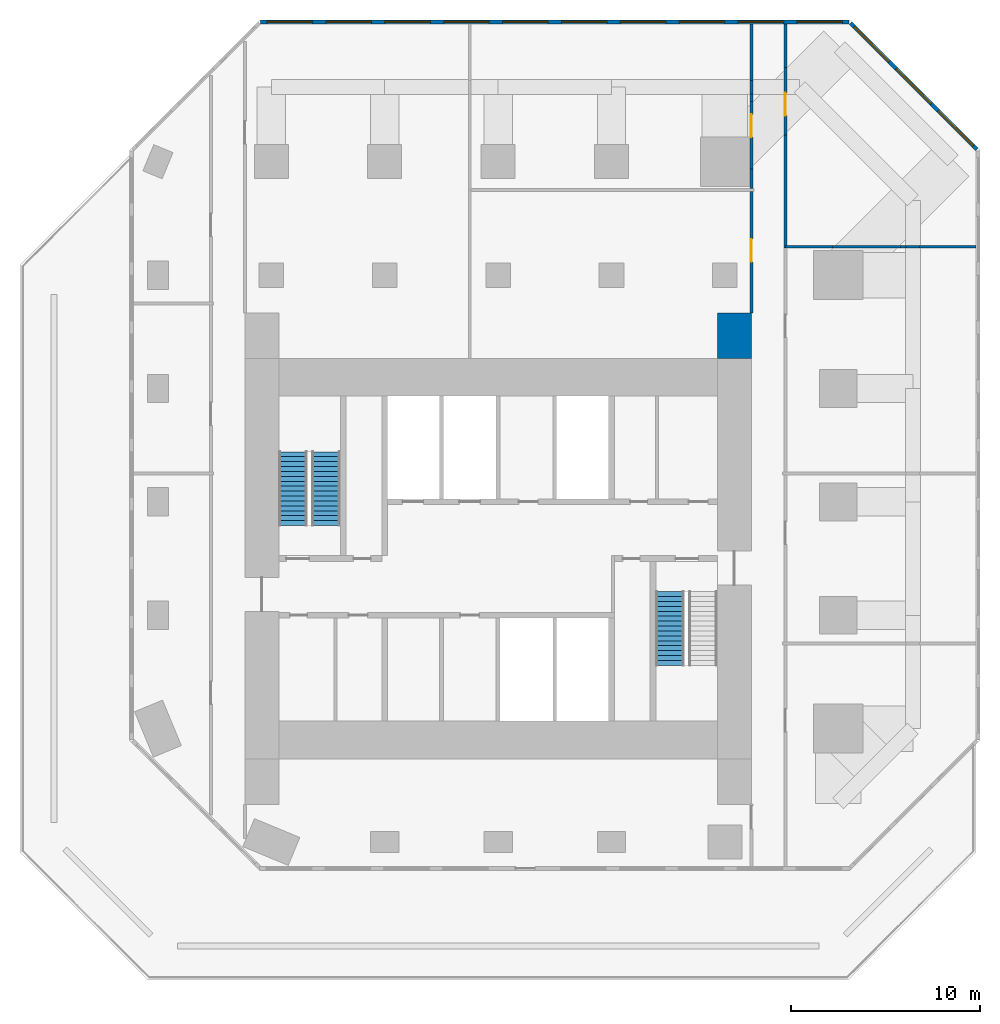
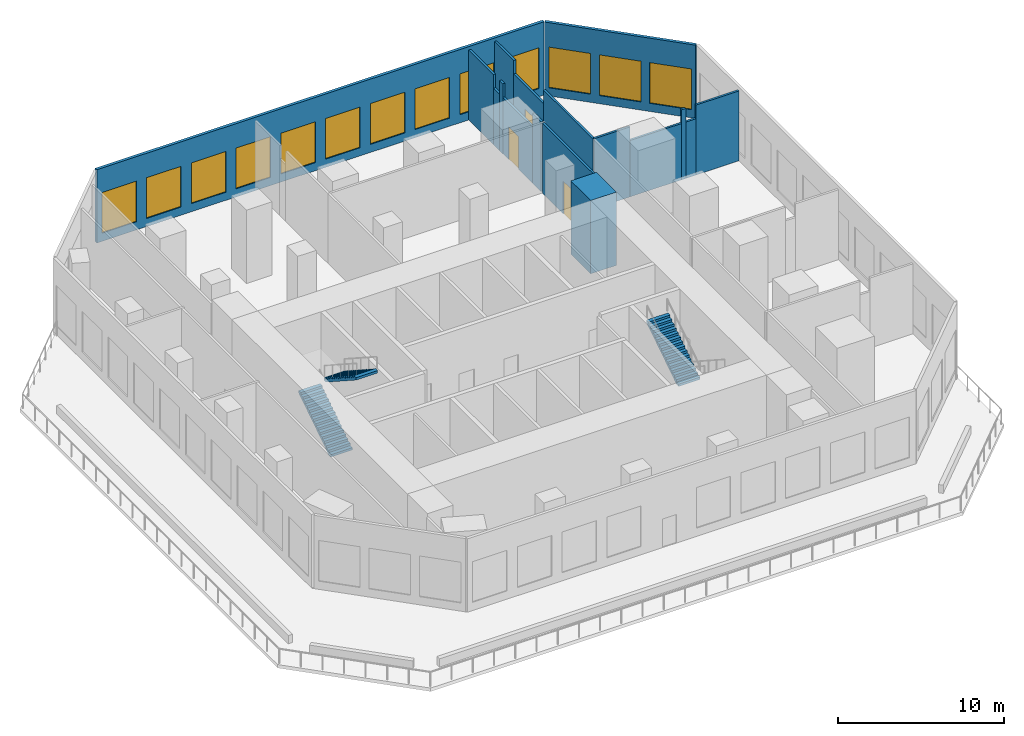
# One storey, part 5 of 7: 17 walls, 13 windows, 3 doors, 3 stair flights, 16 openings, 2 elements without a shape of their own.
"""IFC4 building model written with IfcOpenShell, lengths in metres."""

from ifc_helpers import new_model, si_unit, direction, frame, frame_2d, origin, place, context, subcontext, project, spatial, polyline, rectangle, outline, extrude, material, layer, layer_set, type_object, element, fill, aggregate, save


model = new_model("IFC4")

# Units and contexts
model_context = context("Model", 3, precision=1e-05, world=origin(), true_north=direction((0.0, 1.0)))
body_context = subcontext(model_context, "Body", "Model", "MODEL_VIEW")
ifc_project = project(units=[si_unit("LENGTHUNIT", "METRE"), si_unit("AREAUNIT", "SQUARE_METRE"), si_unit("VOLUMEUNIT", "CUBIC_METRE"), si_unit("PLANEANGLEUNIT", "RADIAN"), si_unit("MASSUNIT", "GRAM", prefix="KILO")], contexts=[model_context])

# Site, building, storey
site_placement = place(None, origin())
site = spatial("IfcSite", under=ifc_project, at=site_placement, CompositionType="ELEMENT")
building_placement = place(site_placement, origin())
building = spatial("IfcBuilding", under=site, at=building_placement, Name="Highveld Stack Headquarters", CompositionType="ELEMENT")
storey_placement = place(building_placement, frame((0.0, 0.0, 164.0)))
storey = spatial("IfcBuildingStorey", under=building, at=storey_placement, Name="L40", CompositionType="ELEMENT", Elevation=164.0)

# Wall
ifc_material_1 = material(Name="Concrete C60/75", Category="concrete")
ifc_layer_1 = layer(ifc_material_1, 1.800048828125)
ifc_layer_set_1 = layer_set([ifc_layer_1], Name="Concrete C60/75")
wall_type_1 = type_object("IfcWallType", Name="CORE WING WALL 1800 C60/75", PredefinedType="SHEAR", material=ifc_layer_set_1)
wall_1_placement = place(storey_placement, frame((18.5, 13.60009765625, 0.0), z_axis=(0.0, 0.0, 1.0), x_axis=(0.0, 1.0, 0.0)))
element("IfcWall", 1, at=wall_1_placement, inside=storey, type_object=wall_type_1, Name="Core wing wall EN L40", PredefinedType="SHEAR", context=body_context, shape_type="SweptSolid", body=[
    extrude(rectangle(XDim=2.39990234375, YDim=1.800048828125, at=frame_2d((1.199951171875, 0.0))), origin(), (0.0, 0.0, 1.0), 5.39990234375),
])

# Wall, opening, door
ifc_material_2 = material(Name="Concrete blockwork, plastered", Category="masonry")
ifc_layer_2 = layer(ifc_material_2, 0.14990234375)
ifc_layer_set_2 = layer_set([ifc_layer_2], Name="Concrete blockwork, plastered")
wall_type_2 = type_object("IfcWallType", Name="FIRE PARTITION 150 BLOCKWORK", PredefinedType="PARTITIONING", material=ifc_layer_set_2)
wall_2_placement = place(storey_placement, frame((19.39990234375, 16.0, 0.0), z_axis=(0.0, 0.0, 1.0), x_axis=(0.0, 1.0, 0.0)))
wall_2 = element("IfcWall", 2, at=wall_2_placement, inside=storey, type_object=wall_type_2, Name="Partition office neighbourhood L40", PredefinedType="PARTITIONING", context=body_context, shape_type="SweptSolid", body=[
    extrude(rectangle(XDim=6.425048828125, YDim=0.14990234375, at=frame_2d((3.21240234375, 0.0))), origin(), (0.0, 0.0, 1.0), 5.14990234375),
])
opening_1_placement = place(wall_2_placement, frame((2.699951171875, 0.0, 0.0)))
opening_1 = element("IfcOpeningElement", 3, at=opening_1_placement, cuts=wall_2, Name="Opening L40-21", PredefinedType="OPENING", context=body_context, shape_type="SweptSolid", body=[
    extrude(rectangle(XDim=1.199951171875, YDim=2.39990234375, at=frame_2d((0.60009765625, 1.199951171875))), frame((0.0, 0.0849609375, 0.0), z_axis=(0.0, -1.0, 0.0), x_axis=(1.0, 0.0, 0.0)), (0.0, 0.0, 1.0), 0.169921875),
])
ifc_material_3 = material(Name="Steel fire door", Category="steel")
door_type = type_object("IfcDoorType", Name="PLANT FIRE DOOR D7 1200x2400", OperationType="SINGLE_SWING_LEFT", PredefinedType="DOOR", material=ifc_material_3)
door_1_placement = place(opening_1_placement, origin())
door_1 = element("IfcDoor", 4, at=door_1_placement, inside=storey, type_object=door_type, Name="Plant room door L40", OperationType="SINGLE_SWING_RIGHT", OverallHeight=2.39990234375, OverallWidth=1.199951171875, PredefinedType="DOOR", context=body_context, shape_type="SweptSolid", body=[
    extrude(rectangle(XDim=1.199951171875, YDim=2.39990234375, at=frame_2d((0.60009765625, 1.199951171875))), frame((0.0, 0.02490234375, 0.0), z_axis=(0.0, -1.0, 0.0), x_axis=(1.0, 0.0, 0.0)), (0.0, 0.0, 1.0), 0.050048828125),
])
fill(opening_1, door_1)

# Wall
wall_3_placement = place(storey_placement, frame((19.39990234375, 22.574951171875, 0.0), z_axis=(0.0, 0.0, 1.0), x_axis=(0.0, 1.0, 0.0)))
element("IfcWall", 5, at=wall_3_placement, inside=storey, type_object=wall_type_2, Name="Partition office neighbourhood L40", PredefinedType="PARTITIONING", context=body_context, shape_type="SweptSolid", body=[
    extrude(rectangle(XDim=1.032958984375, YDim=0.14990234375, at=frame_2d((0.5166015625, 0.0))), origin(), (0.0, 0.0, 1.0), 5.14990234375),
])

# Wall, opening, door
wall_4_placement = place(storey_placement, frame((19.39990234375, 23.60791015625, 0.0), z_axis=(0.0, 0.0, 1.0), x_axis=(0.0, 1.0, 0.0)))
wall_4 = element("IfcWall", 6, at=wall_4_placement, inside=storey, type_object=wall_type_2, Name="Partition office neighbourhood L40", PredefinedType="PARTITIONING", context=body_context, shape_type="SweptSolid", body=[
    extrude(rectangle(XDim=3.584228515625, YDim=0.14990234375, at=frame_2d((1.7919921875, 0.0))), origin(), (0.0, 0.0, 1.0), 4.14990234375),
])
opening_2_placement = place(wall_4_placement, frame((1.699951171875, 0.0, 0.0)))
opening_2 = element("IfcOpeningElement", 7, at=opening_2_placement, cuts=wall_4, Name="Opening L40-23", PredefinedType="OPENING", context=body_context, shape_type="SweptSolid", body=[
    extrude(rectangle(XDim=1.199951171875, YDim=2.39990234375, at=frame_2d((0.60009765625, 1.199951171875))), frame((0.0, 0.0849609375, 0.0), z_axis=(0.0, -1.0, 0.0), x_axis=(1.0, 0.0, 0.0)), (0.0, 0.0, 1.0), 0.169921875),
])
door_2_placement = place(opening_2_placement, origin())
door_2 = element("IfcDoor", 8, at=door_2_placement, inside=storey, type_object=door_type, Name="Plant room door L40", OperationType="SINGLE_SWING_RIGHT", OverallHeight=2.39990234375, OverallWidth=1.199951171875, PredefinedType="DOOR", context=body_context, shape_type="SweptSolid", body=[
    extrude(rectangle(XDim=1.199951171875, YDim=2.39990234375, at=frame_2d((0.60009765625, 1.199951171875))), frame((0.0, 0.02490234375, 0.0), z_axis=(0.0, -1.0, 0.0), x_axis=(1.0, 0.0, 0.0)), (0.0, 0.0, 1.0), 0.050048828125),
])
fill(opening_2, door_2)

# Walls
wall_5_placement = place(storey_placement, frame((19.39990234375, 27.192138671875, 0.0), z_axis=(0.0, 0.0, 1.0), x_axis=(0.0, 1.0, 0.0)))
element("IfcWall", 9, at=wall_5_placement, inside=storey, type_object=wall_type_2, Name="Partition office neighbourhood L40", PredefinedType="PARTITIONING", context=body_context, shape_type="SweptSolid", body=[
    extrude(rectangle(XDim=0.39794921875, YDim=0.14990234375, at=frame_2d((0.198974609375, 0.0))), origin(), (0.0, 0.0, 1.0), 5.14990234375),
])
wall_6_placement = place(storey_placement, frame((19.39990234375, 27.590087890625, 0.0), z_axis=(0.0, 0.0, 1.0), x_axis=(0.0, 1.0, 0.0)))
element("IfcWall", 10, at=wall_6_placement, inside=storey, type_object=wall_type_2, Name="Partition office neighbourhood L40", PredefinedType="PARTITIONING", context=body_context, shape_type="SweptSolid", body=[
    extrude(rectangle(XDim=0.719970703125, YDim=0.14990234375, at=frame_2d((0.35986328125, 0.0))), origin(), (0.0, 0.0, 1.0), 4.14990234375),
])
wall_7_placement = place(storey_placement, frame((19.39990234375, 28.31005859375, 0.0), z_axis=(0.0, 0.0, 1.0), x_axis=(0.0, 1.0, 0.0)))
element("IfcWall", 11, at=wall_7_placement, inside=storey, type_object=wall_type_2, Name="Partition office neighbourhood L40", PredefinedType="PARTITIONING", context=body_context, shape_type="SweptSolid", body=[
    extrude(rectangle(XDim=2.989990234375, YDim=0.14990234375, at=frame_2d((1.4951171875, 0.0))), origin(), (0.0, 0.0, 1.0), 5.14990234375),
])
wall_8_placement = place(storey_placement, frame((21.199951171875, 19.425048828125, 0.0), z_axis=(0.0, 0.0, 1.0), x_axis=(0.0, 1.0, 0.0)))
element("IfcWall", 12, at=wall_8_placement, inside=storey, type_object=wall_type_2, Name="Partition office neighbourhood L40", PredefinedType="PARTITIONING", context=body_context, shape_type="SweptSolid", body=[
    extrude(rectangle(XDim=5.98291015625, YDim=0.14990234375, at=frame_2d((2.991455078125, 0.0))), origin(), (0.0, 0.0, 1.0), 5.14990234375),
])

# Wall, opening, door
wall_9_placement = place(storey_placement, frame((21.199951171875, 25.407958984375, 0.0), z_axis=(0.0, 0.0, 1.0), x_axis=(0.0, 1.0, 0.0)))
wall_9 = element("IfcWall", 13, at=wall_9_placement, inside=storey, type_object=wall_type_2, Name="Partition office neighbourhood L40", PredefinedType="PARTITIONING", context=body_context, shape_type="SweptSolid", body=[
    extrude(rectangle(XDim=3.584228515625, YDim=0.14990234375, at=frame_2d((1.7919921875, 0.0))), origin(), (0.0, 0.0, 1.0), 4.14990234375),
])
opening_3_placement = place(wall_9_placement, frame((1.031982421875, 0.0, 0.0)))
opening_3 = element("IfcOpeningElement", 14, at=opening_3_placement, cuts=wall_9, Name="Opening L40-20", PredefinedType="OPENING", context=body_context, shape_type="SweptSolid", body=[
    extrude(rectangle(XDim=1.199951171875, YDim=2.39990234375, at=frame_2d((0.60009765625, 1.199951171875))), frame((0.0, 0.0849609375, 0.0), z_axis=(0.0, -1.0, 0.0), x_axis=(1.0, 0.0, 0.0)), (0.0, 0.0, 1.0), 0.169921875),
])
door_3_placement = place(opening_3_placement, origin())
door_3 = element("IfcDoor", 15, at=door_3_placement, inside=storey, type_object=door_type, Name="Plant room door L40", OperationType="SINGLE_SWING_LEFT", OverallHeight=2.39990234375, OverallWidth=1.199951171875, PredefinedType="DOOR", context=body_context, shape_type="SweptSolid", body=[
    extrude(rectangle(XDim=1.199951171875, YDim=2.39990234375, at=frame_2d((0.60009765625, 1.199951171875))), frame((0.0, 0.02490234375, 0.0), z_axis=(0.0, -1.0, 0.0), x_axis=(1.0, 0.0, 0.0)), (0.0, 0.0, 1.0), 0.050048828125),
])
fill(opening_3, door_3)

# Walls
wall_10_placement = place(storey_placement, frame((21.199951171875, 28.9921875, 0.0), z_axis=(0.0, 0.0, 1.0), x_axis=(0.0, 1.0, 0.0)))
element("IfcWall", 16, at=wall_10_placement, inside=storey, type_object=wall_type_2, Name="Partition office neighbourhood L40", PredefinedType="PARTITIONING", context=body_context, shape_type="SweptSolid", body=[
    extrude(rectangle(XDim=2.307861328125, YDim=0.14990234375, at=frame_2d((1.15380859375, 0.0))), origin(), (0.0, 0.0, 1.0), 5.14990234375),
])
wall_11_placement = place(storey_placement, frame((21.199951171875, 19.5, 0.0), z_axis=(0.0, 0.0, 1.0), x_axis=(1.0, 0.0, 0.0)))
element("IfcWall", 17, at=wall_11_placement, inside=storey, type_object=wall_type_2, Name="Partition office neighbourhood L40", PredefinedType="PARTITIONING", context=body_context, shape_type="SweptSolid", body=[
    extrude(rectangle(XDim=2.508056640625, YDim=0.14990234375, at=frame_2d((1.25390625, 0.0))), origin(), (0.0, 0.0, 1.0), 5.14990234375),
])
wall_12_placement = place(storey_placement, frame((23.7080078125, 19.5, 0.0), z_axis=(0.0, 0.0, 1.0), x_axis=(1.0, 0.0, 0.0)))
element("IfcWall", 18, at=wall_12_placement, inside=storey, type_object=wall_type_2, Name="Partition office neighbourhood L40", PredefinedType="PARTITIONING", context=body_context, shape_type="SweptSolid", body=[
    extrude(rectangle(XDim=3.583984375, YDim=0.14990234375, at=frame_2d((1.7919921875, 0.0))), origin(), (0.0, 0.0, 1.0), 4.14990234375),
])
wall_13_placement = place(storey_placement, frame((27.2919921875, 19.5, 0.0), z_axis=(0.0, 0.0, 1.0), x_axis=(1.0, 0.0, 0.0)))
element("IfcWall", 19, at=wall_13_placement, inside=storey, type_object=wall_type_2, Name="Partition office neighbourhood L40", PredefinedType="PARTITIONING", context=body_context, shape_type="SweptSolid", body=[
    extrude(rectangle(XDim=0.298095703125, YDim=0.14990234375, at=frame_2d((0.14892578125, 0.0))), origin(), (0.0, 0.0, 1.0), 5.14990234375),
])
wall_14_placement = place(storey_placement, frame((27.590087890625, 19.5, 0.0), z_axis=(0.0, 0.0, 1.0), x_axis=(1.0, 0.0, 0.0)))
element("IfcWall", 20, at=wall_14_placement, inside=storey, type_object=wall_type_2, Name="Partition office neighbourhood L40", PredefinedType="PARTITIONING", context=body_context, shape_type="SweptSolid", body=[
    extrude(rectangle(XDim=0.719970703125, YDim=0.14990234375, at=frame_2d((0.35986328125, 0.0))), origin(), (0.0, 0.0, 1.0), 4.14990234375),
])
wall_15_placement = place(storey_placement, frame((28.31005859375, 19.5, 0.0), z_axis=(0.0, 0.0, 1.0), x_axis=(1.0, 0.0, 0.0)))
element("IfcWall", 21, at=wall_15_placement, inside=storey, type_object=wall_type_2, Name="Partition office neighbourhood L40", PredefinedType="PARTITIONING", context=body_context, shape_type="SweptSolid", body=[
    extrude(rectangle(XDim=2.989990234375, YDim=0.14990234375, at=frame_2d((1.4951171875, 0.0))), origin(), (0.0, 0.0, 1.0), 5.14990234375),
])

# Wall, openings, windows
ifc_material_4 = material(Name="Concrete C40/50, precast cladding", Category="concrete")
ifc_layer_3 = layer(ifc_material_4, 0.199951171875)
ifc_layer_set_3 = layer_set([ifc_layer_3], Name="Concrete C40/50, precast cladding")
wall_type_3 = type_object("IfcWallType", Name="PRECAST LOUVRE WALL 200", PredefinedType="USERDEFINED", material=ifc_layer_set_3)
wall_16_placement = place(storey_placement, frame((31.329345703125, 24.650634765625, 0.0), z_axis=(0.0, 0.0, 1.0), x_axis=(-0.707106781187, 0.707106781187, 0.0)))
wall_16 = element("IfcWall", 22, at=wall_16_placement, inside=storey, type_object=wall_type_3, Name="Precast louvre wall L40 NE", ObjectType="PRECAST CLADDING", PredefinedType="USERDEFINED", context=body_context, shape_type="SweptSolid", body=[
    extrude(rectangle(XDim=9.445068359375, YDim=0.199951171875, at=frame_2d((4.72265625, 0.0))), origin(), (0.0, 0.0, 1.0), 5.39990234375),
])
opening_4_placement = place(wall_16_placement, frame((0.274169921875, 0.0, 0.60009765625)))
opening_4 = element("IfcOpeningElement", 23, at=opening_4_placement, cuts=wall_16, Name="Opening L2", PredefinedType="OPENING", context=body_context, shape_type="SweptSolid", body=[
    extrude(rectangle(XDim=2.60009765625, YDim=3.0, at=frame_2d((1.300048828125, 1.5))), frame((0.0, 0.10986328125, 0.0), z_axis=(0.0, -1.0, 0.0), x_axis=(1.0, 0.0, 0.0)), (0.0, 0.0, 1.0), 0.219970703125),
])
opening_5_placement = place(wall_16_placement, frame((3.422607421875, 0.0, 0.60009765625)))
opening_5 = element("IfcOpeningElement", 24, at=opening_5_placement, cuts=wall_16, Name="Opening L2", PredefinedType="OPENING", context=body_context, shape_type="SweptSolid", body=[
    extrude(rectangle(XDim=2.60009765625, YDim=3.0, at=frame_2d((1.300048828125, 1.5))), frame((0.0, 0.10986328125, 0.0), z_axis=(0.0, -1.0, 0.0), x_axis=(1.0, 0.0, 0.0)), (0.0, 0.0, 1.0), 0.219970703125),
])
opening_6_placement = place(wall_16_placement, frame((6.57080078125, 0.0, 0.60009765625)))
opening_6 = element("IfcOpeningElement", 25, at=opening_6_placement, cuts=wall_16, Name="Opening L2", PredefinedType="OPENING", context=body_context, shape_type="SweptSolid", body=[
    extrude(rectangle(XDim=2.60009765625, YDim=3.0, at=frame_2d((1.300048828125, 1.5))), frame((0.0, 0.10986328125, 0.0), z_axis=(0.0, -1.0, 0.0), x_axis=(1.0, 0.0, 0.0)), (0.0, 0.0, 1.0), 0.219970703125),
])
ifc_material_5 = material(Name="Aluminium bronze anodised", Category="aluminium")
window_type_1 = type_object("IfcWindowType", Name="LOUVRE L2 2400x3000 CHAMFER", PartitioningType="SINGLE_PANEL", PredefinedType="USERDEFINED", material=ifc_material_5)
window_1_placement = place(opening_4_placement, origin())
window_1 = element("IfcWindow", 26, at=window_1_placement, inside=storey, type_object=window_type_1, Name="Louvre L40 NE 1", ObjectType="LOUVRE", OverallHeight=3.0, OverallWidth=2.60009765625, PartitioningType="SINGLE_PANEL", PredefinedType="USERDEFINED", context=body_context, shape_type="SweptSolid", body=[
    extrude(rectangle(XDim=2.60009765625, YDim=3.0, at=frame_2d((1.300048828125, 1.5))), frame((0.0, 0.030029296875, 0.0), z_axis=(0.0, -1.0, 0.0), x_axis=(1.0, 0.0, 0.0)), (0.0, 0.0, 1.0), 0.06005859375),
])
fill(opening_4, window_1)
window_2_placement = place(opening_5_placement, origin())
window_2 = element("IfcWindow", 27, at=window_2_placement, inside=storey, type_object=window_type_1, Name="Louvre L40 NE 2", ObjectType="LOUVRE", OverallHeight=3.0, OverallWidth=2.60009765625, PartitioningType="SINGLE_PANEL", PredefinedType="USERDEFINED", context=body_context, shape_type="SweptSolid", body=[
    extrude(rectangle(XDim=2.60009765625, YDim=3.0, at=frame_2d((1.300048828125, 1.5))), frame((0.0, 0.030029296875, 0.0), z_axis=(0.0, -1.0, 0.0), x_axis=(1.0, 0.0, 0.0)), (0.0, 0.0, 1.0), 0.06005859375),
])
fill(opening_5, window_2)
window_3_placement = place(opening_6_placement, origin())
window_3 = element("IfcWindow", 28, at=window_3_placement, inside=storey, type_object=window_type_1, Name="Louvre L40 NE 3", ObjectType="LOUVRE", OverallHeight=3.0, OverallWidth=2.60009765625, PartitioningType="SINGLE_PANEL", PredefinedType="USERDEFINED", context=body_context, shape_type="SweptSolid", body=[
    extrude(rectangle(XDim=2.60009765625, YDim=3.0, at=frame_2d((1.300048828125, 1.5))), frame((0.0, 0.030029296875, 0.0), z_axis=(0.0, -1.0, 0.0), x_axis=(1.0, 0.0, 0.0)), (0.0, 0.0, 1.0), 0.06005859375),
])
fill(opening_6, window_3)

wall_17_placement = place(storey_placement, frame((24.579833984375, 31.39990234375, 0.0), z_axis=(0.0, 0.0, 1.0), x_axis=(-1.0, 0.0, 0.0)))
wall_17 = element("IfcWall", 29, at=wall_17_placement, inside=storey, type_object=wall_type_3, Name="Precast louvre wall L40 N", ObjectType="PRECAST CLADDING", PredefinedType="USERDEFINED", context=body_context, shape_type="SweptSolid", body=[
    extrude(rectangle(XDim=31.15966796875, YDim=0.199951171875, at=frame_2d((15.579833984375, 0.0))), origin(), (0.0, 0.0, 1.0), 5.39990234375),
])
opening_7_placement = place(wall_17_placement, frame((0.35791015625, 0.0, 0.60009765625)))
opening_7 = element("IfcOpeningElement", 30, at=opening_7_placement, cuts=wall_17, Name="Opening L1", PredefinedType="OPENING", context=body_context, shape_type="SweptSolid", body=[
    extrude(rectangle(XDim=2.39990234375, YDim=3.0, at=frame_2d((1.199951171875, 1.5))), frame((0.0, 0.10986328125, 0.0), z_axis=(0.0, -1.0, 0.0), x_axis=(1.0, 0.0, 0.0)), (0.0, 0.0, 1.0), 0.219970703125),
])
opening_8_placement = place(wall_17_placement, frame((3.47412109375, 0.0, 0.60009765625)))
opening_8 = element("IfcOpeningElement", 31, at=opening_8_placement, cuts=wall_17, Name="Opening L1", PredefinedType="OPENING", context=body_context, shape_type="SweptSolid", body=[
    extrude(rectangle(XDim=2.39990234375, YDim=3.0, at=frame_2d((1.199951171875, 1.5))), frame((0.0, 0.10986328125, 0.0), z_axis=(0.0, -1.0, 0.0), x_axis=(1.0, 0.0, 0.0)), (0.0, 0.0, 1.0), 0.219970703125),
])
opening_9_placement = place(wall_17_placement, frame((6.58984375, 0.0, 0.60009765625)))
opening_9 = element("IfcOpeningElement", 32, at=opening_9_placement, cuts=wall_17, Name="Opening L1", PredefinedType="OPENING", context=body_context, shape_type="SweptSolid", body=[
    extrude(rectangle(XDim=2.39990234375, YDim=3.0, at=frame_2d((1.199951171875, 1.5))), frame((0.0, 0.10986328125, 0.0), z_axis=(0.0, -1.0, 0.0), x_axis=(1.0, 0.0, 0.0)), (0.0, 0.0, 1.0), 0.219970703125),
])
opening_10_placement = place(wall_17_placement, frame((9.705810546875, 0.0, 0.60009765625)))
opening_10 = element("IfcOpeningElement", 33, at=opening_10_placement, cuts=wall_17, Name="Opening L1", PredefinedType="OPENING", context=body_context, shape_type="SweptSolid", body=[
    extrude(rectangle(XDim=2.39990234375, YDim=3.0, at=frame_2d((1.199951171875, 1.5))), frame((0.0, 0.10986328125, 0.0), z_axis=(0.0, -1.0, 0.0), x_axis=(1.0, 0.0, 0.0)), (0.0, 0.0, 1.0), 0.219970703125),
])
opening_11_placement = place(wall_17_placement, frame((12.822021484375, 0.0, 0.60009765625)))
opening_11 = element("IfcOpeningElement", 34, at=opening_11_placement, cuts=wall_17, Name="Opening L1", PredefinedType="OPENING", context=body_context, shape_type="SweptSolid", body=[
    extrude(rectangle(XDim=2.39990234375, YDim=3.0, at=frame_2d((1.199951171875, 1.5))), frame((0.0, 0.10986328125, 0.0), z_axis=(0.0, -1.0, 0.0), x_axis=(1.0, 0.0, 0.0)), (0.0, 0.0, 1.0), 0.219970703125),
])
opening_12_placement = place(wall_17_placement, frame((15.93798828125, 0.0, 0.60009765625)))
opening_12 = element("IfcOpeningElement", 35, at=opening_12_placement, cuts=wall_17, Name="Opening L1", PredefinedType="OPENING", context=body_context, shape_type="SweptSolid", body=[
    extrude(rectangle(XDim=2.39990234375, YDim=3.0, at=frame_2d((1.199951171875, 1.5))), frame((0.0, 0.10986328125, 0.0), z_axis=(0.0, -1.0, 0.0), x_axis=(1.0, 0.0, 0.0)), (0.0, 0.0, 1.0), 0.219970703125),
])
opening_13_placement = place(wall_17_placement, frame((19.053955078125, 0.0, 0.60009765625)))
opening_13 = element("IfcOpeningElement", 36, at=opening_13_placement, cuts=wall_17, Name="Opening L1", PredefinedType="OPENING", context=body_context, shape_type="SweptSolid", body=[
    extrude(rectangle(XDim=2.39990234375, YDim=3.0, at=frame_2d((1.199951171875, 1.5))), frame((0.0, 0.10986328125, 0.0), z_axis=(0.0, -1.0, 0.0), x_axis=(1.0, 0.0, 0.0)), (0.0, 0.0, 1.0), 0.219970703125),
])
opening_14_placement = place(wall_17_placement, frame((22.169921875, 0.0, 0.60009765625)))
opening_14 = element("IfcOpeningElement", 37, at=opening_14_placement, cuts=wall_17, Name="Opening L1", PredefinedType="OPENING", context=body_context, shape_type="SweptSolid", body=[
    extrude(rectangle(XDim=2.39990234375, YDim=3.0, at=frame_2d((1.199951171875, 1.5))), frame((0.0, 0.10986328125, 0.0), z_axis=(0.0, -1.0, 0.0), x_axis=(1.0, 0.0, 0.0)), (0.0, 0.0, 1.0), 0.219970703125),
])
opening_15_placement = place(wall_17_placement, frame((25.285888671875, 0.0, 0.60009765625)))
opening_15 = element("IfcOpeningElement", 38, at=opening_15_placement, cuts=wall_17, Name="Opening L1", PredefinedType="OPENING", context=body_context, shape_type="SweptSolid", body=[
    extrude(rectangle(XDim=2.39990234375, YDim=3.0, at=frame_2d((1.199951171875, 1.5))), frame((0.0, 0.10986328125, 0.0), z_axis=(0.0, -1.0, 0.0), x_axis=(1.0, 0.0, 0.0)), (0.0, 0.0, 1.0), 0.219970703125),
])
opening_16_placement = place(wall_17_placement, frame((28.40185546875, 0.0, 0.60009765625)))
opening_16 = element("IfcOpeningElement", 39, at=opening_16_placement, cuts=wall_17, Name="Opening L1", PredefinedType="OPENING", context=body_context, shape_type="SweptSolid", body=[
    extrude(rectangle(XDim=2.39990234375, YDim=3.0, at=frame_2d((1.199951171875, 1.5))), frame((0.0, 0.10986328125, 0.0), z_axis=(0.0, -1.0, 0.0), x_axis=(1.0, 0.0, 0.0)), (0.0, 0.0, 1.0), 0.219970703125),
])
ifc_material_6 = material(Name="Aluminium bronze anodised", Category="aluminium")
window_type_2 = type_object("IfcWindowType", Name="LOUVRE L1 2400x3000", PartitioningType="SINGLE_PANEL", PredefinedType="USERDEFINED", material=ifc_material_6)
window_4_placement = place(opening_7_placement, origin())
window_4 = element("IfcWindow", 40, at=window_4_placement, inside=storey, type_object=window_type_2, Name="Louvre L40 N 1", ObjectType="LOUVRE", OverallHeight=3.0, OverallWidth=2.39990234375, PartitioningType="SINGLE_PANEL", PredefinedType="USERDEFINED", context=body_context, shape_type="SweptSolid", body=[
    extrude(rectangle(XDim=2.39990234375, YDim=3.0, at=frame_2d((1.199951171875, 1.5))), frame((0.0, 0.030029296875, 0.0), z_axis=(0.0, -1.0, 0.0), x_axis=(1.0, 0.0, 0.0)), (0.0, 0.0, 1.0), 0.06005859375),
])
fill(opening_7, window_4)
window_5_placement = place(opening_8_placement, origin())
window_5 = element("IfcWindow", 41, at=window_5_placement, inside=storey, type_object=window_type_2, Name="Louvre L40 N 2", ObjectType="LOUVRE", OverallHeight=3.0, OverallWidth=2.39990234375, PartitioningType="SINGLE_PANEL", PredefinedType="USERDEFINED", context=body_context, shape_type="SweptSolid", body=[
    extrude(rectangle(XDim=2.39990234375, YDim=3.0, at=frame_2d((1.199951171875, 1.5))), frame((0.0, 0.030029296875, 0.0), z_axis=(0.0, -1.0, 0.0), x_axis=(1.0, 0.0, 0.0)), (0.0, 0.0, 1.0), 0.06005859375),
])
fill(opening_8, window_5)
window_6_placement = place(opening_9_placement, origin())
window_6 = element("IfcWindow", 42, at=window_6_placement, inside=storey, type_object=window_type_2, Name="Louvre L40 N 3", ObjectType="LOUVRE", OverallHeight=3.0, OverallWidth=2.39990234375, PartitioningType="SINGLE_PANEL", PredefinedType="USERDEFINED", context=body_context, shape_type="SweptSolid", body=[
    extrude(rectangle(XDim=2.39990234375, YDim=3.0, at=frame_2d((1.199951171875, 1.5))), frame((0.0, 0.030029296875, 0.0), z_axis=(0.0, -1.0, 0.0), x_axis=(1.0, 0.0, 0.0)), (0.0, 0.0, 1.0), 0.06005859375),
])
fill(opening_9, window_6)
window_7_placement = place(opening_10_placement, origin())
window_7 = element("IfcWindow", 43, at=window_7_placement, inside=storey, type_object=window_type_2, Name="Louvre L40 N 4", ObjectType="LOUVRE", OverallHeight=3.0, OverallWidth=2.39990234375, PartitioningType="SINGLE_PANEL", PredefinedType="USERDEFINED", context=body_context, shape_type="SweptSolid", body=[
    extrude(rectangle(XDim=2.39990234375, YDim=3.0, at=frame_2d((1.199951171875, 1.5))), frame((0.0, 0.030029296875, 0.0), z_axis=(0.0, -1.0, 0.0), x_axis=(1.0, 0.0, 0.0)), (0.0, 0.0, 1.0), 0.06005859375),
])
fill(opening_10, window_7)
window_8_placement = place(opening_11_placement, origin())
window_8 = element("IfcWindow", 44, at=window_8_placement, inside=storey, type_object=window_type_2, Name="Louvre L40 N 5", ObjectType="LOUVRE", OverallHeight=3.0, OverallWidth=2.39990234375, PartitioningType="SINGLE_PANEL", PredefinedType="USERDEFINED", context=body_context, shape_type="SweptSolid", body=[
    extrude(rectangle(XDim=2.39990234375, YDim=3.0, at=frame_2d((1.199951171875, 1.5))), frame((0.0, 0.030029296875, 0.0), z_axis=(0.0, -1.0, 0.0), x_axis=(1.0, 0.0, 0.0)), (0.0, 0.0, 1.0), 0.06005859375),
])
fill(opening_11, window_8)
window_9_placement = place(opening_12_placement, origin())
window_9 = element("IfcWindow", 45, at=window_9_placement, inside=storey, type_object=window_type_2, Name="Louvre L40 N 6", ObjectType="LOUVRE", OverallHeight=3.0, OverallWidth=2.39990234375, PartitioningType="SINGLE_PANEL", PredefinedType="USERDEFINED", context=body_context, shape_type="SweptSolid", body=[
    extrude(rectangle(XDim=2.39990234375, YDim=3.0, at=frame_2d((1.199951171875, 1.5))), frame((0.0, 0.030029296875, 0.0), z_axis=(0.0, -1.0, 0.0), x_axis=(1.0, 0.0, 0.0)), (0.0, 0.0, 1.0), 0.06005859375),
])
fill(opening_12, window_9)
window_10_placement = place(opening_13_placement, origin())
window_10 = element("IfcWindow", 46, at=window_10_placement, inside=storey, type_object=window_type_2, Name="Louvre L40 N 7", ObjectType="LOUVRE", OverallHeight=3.0, OverallWidth=2.39990234375, PartitioningType="SINGLE_PANEL", PredefinedType="USERDEFINED", context=body_context, shape_type="SweptSolid", body=[
    extrude(rectangle(XDim=2.39990234375, YDim=3.0, at=frame_2d((1.199951171875, 1.5))), frame((0.0, 0.030029296875, 0.0), z_axis=(0.0, -1.0, 0.0), x_axis=(1.0, 0.0, 0.0)), (0.0, 0.0, 1.0), 0.06005859375),
])
fill(opening_13, window_10)
window_11_placement = place(opening_14_placement, origin())
window_11 = element("IfcWindow", 47, at=window_11_placement, inside=storey, type_object=window_type_2, Name="Louvre L40 N 8", ObjectType="LOUVRE", OverallHeight=3.0, OverallWidth=2.39990234375, PartitioningType="SINGLE_PANEL", PredefinedType="USERDEFINED", context=body_context, shape_type="SweptSolid", body=[
    extrude(rectangle(XDim=2.39990234375, YDim=3.0, at=frame_2d((1.199951171875, 1.5))), frame((0.0, 0.030029296875, 0.0), z_axis=(0.0, -1.0, 0.0), x_axis=(1.0, 0.0, 0.0)), (0.0, 0.0, 1.0), 0.06005859375),
])
fill(opening_14, window_11)
window_12_placement = place(opening_15_placement, origin())
window_12 = element("IfcWindow", 48, at=window_12_placement, inside=storey, type_object=window_type_2, Name="Louvre L40 N 9", ObjectType="LOUVRE", OverallHeight=3.0, OverallWidth=2.39990234375, PartitioningType="SINGLE_PANEL", PredefinedType="USERDEFINED", context=body_context, shape_type="SweptSolid", body=[
    extrude(rectangle(XDim=2.39990234375, YDim=3.0, at=frame_2d((1.199951171875, 1.5))), frame((0.0, 0.030029296875, 0.0), z_axis=(0.0, -1.0, 0.0), x_axis=(1.0, 0.0, 0.0)), (0.0, 0.0, 1.0), 0.06005859375),
])
fill(opening_15, window_12)
window_13_placement = place(opening_16_placement, origin())
window_13 = element("IfcWindow", 49, at=window_13_placement, inside=storey, type_object=window_type_2, Name="Louvre L40 N 10", ObjectType="LOUVRE", OverallHeight=3.0, OverallWidth=2.39990234375, PartitioningType="SINGLE_PANEL", PredefinedType="USERDEFINED", context=body_context, shape_type="SweptSolid", body=[
    extrude(rectangle(XDim=2.39990234375, YDim=3.0, at=frame_2d((1.199951171875, 1.5))), frame((0.0, 0.030029296875, 0.0), z_axis=(0.0, -1.0, 0.0), x_axis=(1.0, 0.0, 0.0)), (0.0, 0.0, 1.0), 0.06005859375),
])
fill(opening_16, window_13)

# Stair, stair flights
ifc_material_7 = material(Name="Concrete C40/50, precast", Category="concrete")
stair_type_1 = type_object("IfcStairType", Name="STAIR S1 HALF TURN 1500", PredefinedType="HALF_TURN_STAIR", material=ifc_material_7)
stair_1_placement = place(storey_placement, origin())
stair_1 = element("IfcStair", 50, at=stair_1_placement, inside=storey, type_object=stair_type_1, Name="Stair S1 L40", PredefinedType="HALF_TURN_STAIR")
ifc_material_8 = material(Name="Concrete C40/50, precast", Category="concrete")
stair_flight_type = type_object("IfcStairFlightType", Name="STAIR FLIGHT 1500 PRECAST", PredefinedType="STRAIGHT", material=ifc_material_8)
stair_flight_1_placement = place(storey_placement, frame((-4.85009765625, 4.75, 0.0), z_axis=(0.0, 0.0, 1.0), x_axis=(0.0, 1.0, 0.0)))
stair_flight_1 = element("IfcStairFlight", 51, at=stair_flight_1_placement, type_object=stair_flight_type, Name="S1 flight 1", NumberOfRisers=16, NumberOfTreads=15, PredefinedType="STRAIGHT", RiserHeight=0.16875, TreadLength=0.26, context=body_context, shape_type="SweptSolid", body=[
    extrude(outline(polyline([(0.0, 0.0), (0.0, 0.168701171875), (0.260009765625, 0.168701171875), (0.260009765625, 0.33740234375), (0.52001953125, 0.33740234375), (0.52001953125, 0.50634765625), (0.780029296875, 0.50634765625), (0.780029296875, 0.675048828125), (1.0400390625, 0.675048828125), (1.0400390625, 0.84375), (1.300048828125, 0.84375), (1.300048828125, 1.012451171875), (1.56005859375, 1.012451171875), (1.56005859375, 1.18115234375), (1.820068359375, 1.18115234375), (1.820068359375, 1.35009765625), (2.080078125, 1.35009765625), (2.080078125, 1.518798828125), (2.340087890625, 1.518798828125), (2.340087890625, 1.6875), (2.60009765625, 1.6875), (2.60009765625, 1.856201171875), (2.860107421875, 1.856201171875), (2.860107421875, 2.02490234375), (3.1201171875, 2.02490234375), (3.1201171875, 2.19384765625), (3.3798828125, 2.19384765625), (3.3798828125, 2.362548828125), (3.639892578125, 2.362548828125), (3.639892578125, 2.53125), (3.89990234375, 2.53125), (3.89990234375, 2.699951171875), (3.89990234375, 2.3525390625), (0.275390625, 0.0), (0.0, 0.0)])), frame((0.0, 0.75, 0.0), z_axis=(0.0, -1.0, 0.0), x_axis=(1.0, 0.0, 0.0)), (0.0, 0.0, 1.0), 1.5),
])
stair_flight_2_placement = place(storey_placement, frame((-3.10009765625, 8.64990234375, 2.699951171875), z_axis=(0.0, 0.0, 1.0), x_axis=(0.0, -1.0, 0.0)))
stair_flight_2 = element("IfcStairFlight", 52, at=stair_flight_2_placement, type_object=stair_flight_type, Name="S1 flight 2", NumberOfRisers=16, NumberOfTreads=15, PredefinedType="STRAIGHT", RiserHeight=0.16875, TreadLength=0.26, context=body_context, shape_type="SweptSolid", body=[
    extrude(outline(polyline([(0.0, 0.0), (0.0, 0.168701171875), (0.260009765625, 0.168701171875), (0.260009765625, 0.33740234375), (0.52001953125, 0.33740234375), (0.52001953125, 0.50634765625), (0.780029296875, 0.50634765625), (0.780029296875, 0.675048828125), (1.0400390625, 0.675048828125), (1.0400390625, 0.84375), (1.300048828125, 0.84375), (1.300048828125, 1.012451171875), (1.56005859375, 1.012451171875), (1.56005859375, 1.18115234375), (1.820068359375, 1.18115234375), (1.820068359375, 1.35009765625), (2.080078125, 1.35009765625), (2.080078125, 1.518798828125), (2.340087890625, 1.518798828125), (2.340087890625, 1.6875), (2.60009765625, 1.6875), (2.60009765625, 1.856201171875), (2.860107421875, 1.856201171875), (2.860107421875, 2.02490234375), (3.1201171875, 2.02490234375), (3.1201171875, 2.19384765625), (3.3798828125, 2.19384765625), (3.3798828125, 2.362548828125), (3.639892578125, 2.362548828125), (3.639892578125, 2.53125), (3.89990234375, 2.53125), (3.89990234375, 2.699951171875), (3.89990234375, 2.3525390625), (0.275390625, 0.0), (0.0, 0.0)])), frame((0.0, 0.75, 0.0), z_axis=(0.0, -1.0, 0.0), x_axis=(1.0, 0.0, 0.0)), (0.0, 0.0, 1.0), 1.5),
])
aggregate(stair_1, [stair_flight_1, stair_flight_2])

# Stair, stair flight
ifc_material_9 = material(Name="Concrete C40/50, precast", Category="concrete")
stair_type_2 = type_object("IfcStairType", Name="STAIR S2 HALF TURN 1500", PredefinedType="HALF_TURN_STAIR", material=ifc_material_9)
stair_2_placement = place(storey_placement, origin())
stair_2 = element("IfcStair", 53, at=stair_2_placement, inside=storey, type_object=stair_type_2, Name="Stair S2 L40", PredefinedType="HALF_TURN_STAIR")
stair_flight_3_placement = place(storey_placement, frame((15.10009765625, -2.64990234375, 2.699951171875), z_axis=(0.0, 0.0, 1.0), x_axis=(0.0, 1.0, 0.0)))
stair_flight_3 = element("IfcStairFlight", 54, at=stair_flight_3_placement, type_object=stair_flight_type, Name="S2 flight 2", NumberOfRisers=16, NumberOfTreads=15, PredefinedType="STRAIGHT", RiserHeight=0.16875, TreadLength=0.26, context=body_context, shape_type="SweptSolid", body=[
    extrude(outline(polyline([(0.0, 0.0), (0.0, 0.168701171875), (0.260009765625, 0.168701171875), (0.260009765625, 0.33740234375), (0.52001953125, 0.33740234375), (0.52001953125, 0.50634765625), (0.780029296875, 0.50634765625), (0.780029296875, 0.675048828125), (1.0400390625, 0.675048828125), (1.0400390625, 0.84375), (1.300048828125, 0.84375), (1.300048828125, 1.012451171875), (1.56005859375, 1.012451171875), (1.56005859375, 1.18115234375), (1.820068359375, 1.18115234375), (1.820068359375, 1.35009765625), (2.080078125, 1.35009765625), (2.080078125, 1.518798828125), (2.340087890625, 1.518798828125), (2.340087890625, 1.6875), (2.60009765625, 1.6875), (2.60009765625, 1.856201171875), (2.860107421875, 1.856201171875), (2.860107421875, 2.02490234375), (3.1201171875, 2.02490234375), (3.1201171875, 2.19384765625), (3.3798828125, 2.19384765625), (3.3798828125, 2.362548828125), (3.639892578125, 2.362548828125), (3.639892578125, 2.53125), (3.89990234375, 2.53125), (3.89990234375, 2.699951171875), (3.89990234375, 2.3525390625), (0.275390625, 0.0), (0.0, 0.0)])), frame((0.0, 0.75, 0.0), z_axis=(0.0, -1.0, 0.0), x_axis=(1.0, 0.0, 0.0)), (0.0, 0.0, 1.0), 1.5),
])
aggregate(stair_2, [stair_flight_3])

save(model, "model.ifc")
